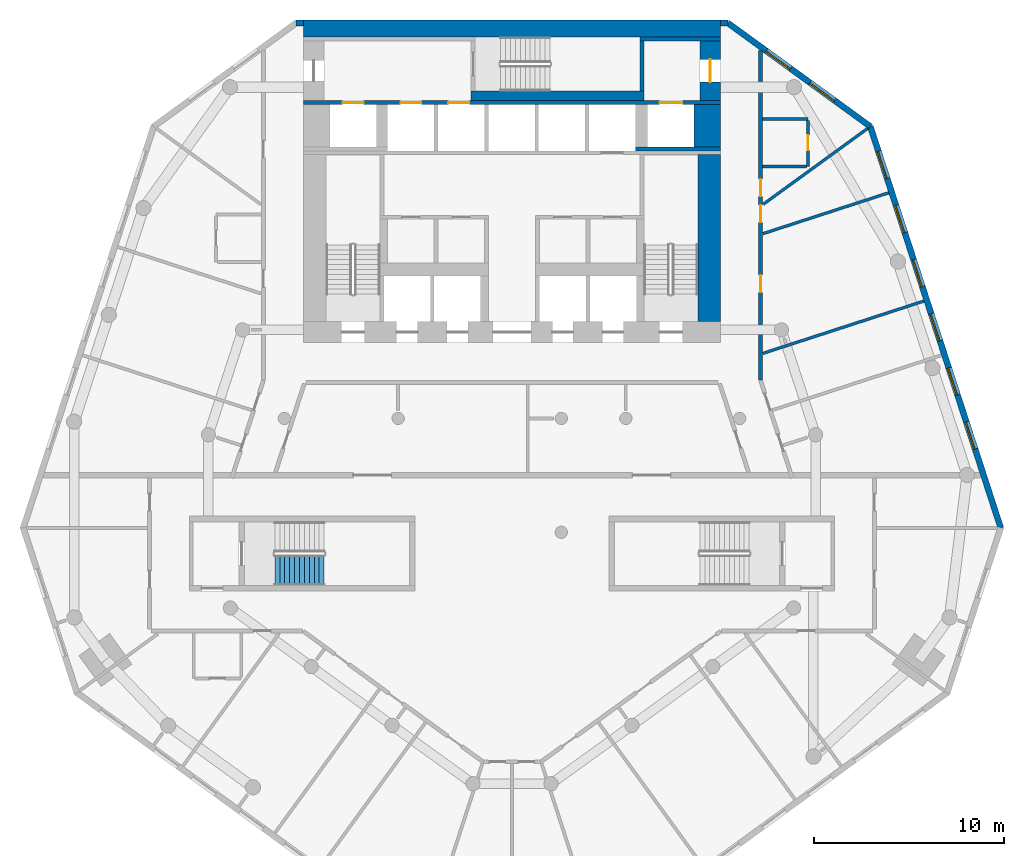
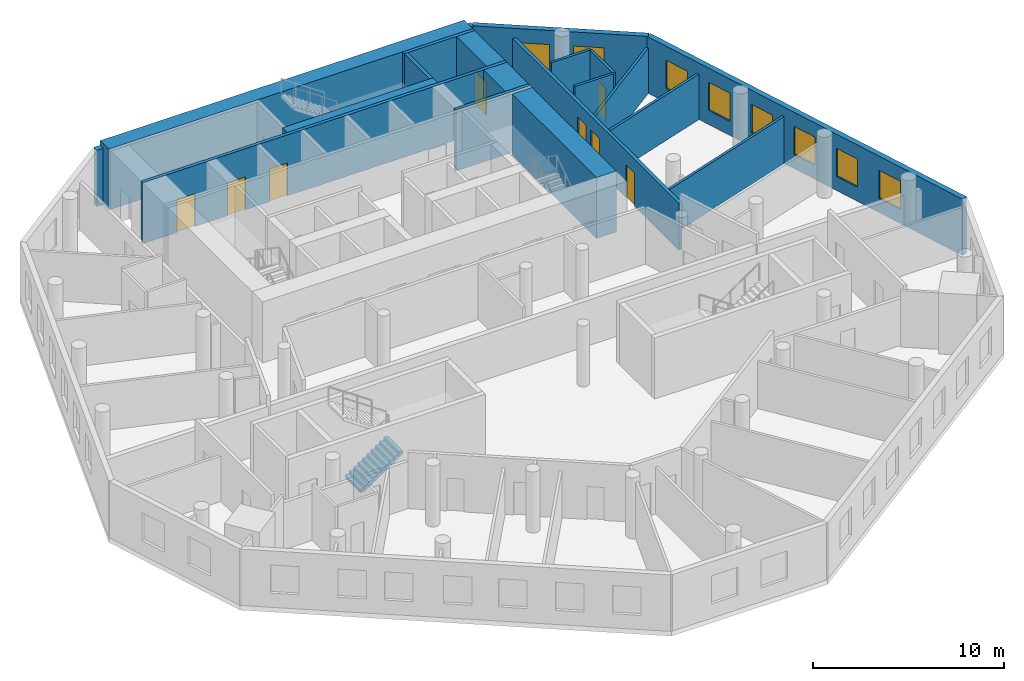
# One storey, part 6 of 9: 20 walls, 9 doors, 8 windows, 1 stair flight, 17 openings, 1 element without a shape of its own.
"""IFC4 building model written with IfcOpenShell, lengths in metres."""

import ifcopenshell
import ifcopenshell.guid

model = None  # the IFC model being written
_history = None  # IfcOwnerHistory: only IFC2X3 demands one
_inside = {}  # id of a spatial element -> (the spatial element, [elements in it])
_under = {}  # id of a project, library or spatial element -> (it, [spatial elements below it])
_declared = {}  # id of a project -> (the project, [libraries it declares])
_typed = {}  # id of a type object -> (the type object, [elements of that type])
_made_of = {}  # id of a material, layer set ... -> (it, [elements and type objects made of it])


def new_model(schema):
    """Start an empty IFC model of exactly this schema.

    Asked for "IFC4X3", IfcOpenShell would pick the latest addendum, in which some entities
    have other attributes; the version numbers below select the first issue.
    IFC2X3 requires an IfcOwnerHistory on every rooted entity: one is made here for all.
    """
    global model, _history
    if schema == "IFC4X3":
        model = ifcopenshell.file(schema_version=(4, 3, 0, 0))
    else:
        model = ifcopenshell.file(schema=schema)
    _inside.clear()
    _under.clear()
    _declared.clear()
    _typed.clear()
    _made_of.clear()
    _history = None
    if model.schema == "IFC2X3":
        org = make("IfcOrganization", Name="unknown")
        user = make(
            "IfcPersonAndOrganization",
            ThePerson=make("IfcPerson", FamilyName="unknown"),
            TheOrganization=org,
        )
        app = make(
            "IfcApplication",
            ApplicationDeveloper=org,
            Version="unknown",
            ApplicationFullName="unknown",
            ApplicationIdentifier="unknown",
        )
        _history = make(
            "IfcOwnerHistory",
            OwningUser=user,
            OwningApplication=app,
            ChangeAction="ADDED",
            CreationDate=0,
        )
    return model


def make(cls, **values):
    """One entity of the class cls with the attributes given. An attribute that is None is left unset."""
    return model.create_entity(
        cls, **{name: value for name, value in values.items() if value is not None}
    )


def rooted(cls, **values):
    """An entity with a GlobalId (a new one), such as an element, a storey or a relation."""
    return make(cls, GlobalId=ifcopenshell.guid.new(), OwnerHistory=_history, **values)


def si_unit(unit_type, name, prefix=None):
    """IfcSIUnit, for example si_unit("LENGTHUNIT", "METRE", prefix="MILLI")."""
    return make("IfcSIUnit", UnitType=unit_type, Prefix=prefix, Name=name)


def assignment(units):
    """IfcUnitAssignment: the units of a project."""
    return None if units is None else make("IfcUnitAssignment", Units=units)


def point(xyz):
    """IfcCartesianPoint."""
    return None if xyz is None else make("IfcCartesianPoint", Coordinates=xyz)


def direction(xyz):
    """IfcDirection."""
    return None if xyz is None else make("IfcDirection", DirectionRatios=xyz)


def frame(location, z_axis=None, x_axis=None):
    """IfcAxis2Placement3D, a coordinate frame: its origin and axes. An axis left out is left unset."""
    return make(
        "IfcAxis2Placement3D",
        Location=point(location),
        Axis=direction(z_axis),
        RefDirection=direction(x_axis),
    )


def frame_2d(location, x_axis=None):
    """IfcAxis2Placement2D, a coordinate frame in the plane: its origin and x axis."""
    return make(
        "IfcAxis2Placement2D", Location=point(location), RefDirection=direction(x_axis)
    )


def origin():
    """The frame at (0, 0, 0) with its axes left unset."""
    return frame((0.0, 0.0, 0.0))


def place(relative_to, where):
    """IfcLocalPlacement: puts the frame where relative to a parent placement (None: the world)."""
    return make(
        "IfcLocalPlacement", PlacementRelTo=relative_to, RelativePlacement=where
    )


def context(
    kind, dimensions, precision=None, world=None, true_north=None, identifier=None
):
    """IfcGeometricRepresentationContext, for example the 3D "Model" context."""
    return make(
        "IfcGeometricRepresentationContext",
        ContextIdentifier=identifier,
        ContextType=kind,
        CoordinateSpaceDimension=dimensions,
        Precision=precision,
        WorldCoordinateSystem=world,
        TrueNorth=true_north,
    )


def subcontext(parent, identifier, kind, view, scale=None):
    """IfcGeometricRepresentationSubContext, for example "Body" below "Model"."""
    return make(
        "IfcGeometricRepresentationSubContext",
        ContextIdentifier=identifier,
        ContextType=kind,
        ParentContext=parent,
        TargetScale=scale,
        TargetView=view,
    )


def project(units=None, contexts=None):
    """IfcProject with its units and contexts."""
    return rooted(
        "IfcProject",
        Name="project",
        RepresentationContexts=contexts,
        UnitsInContext=assignment(units),
    )


def spatial(cls, under=None, at=None, **own):
    """A site, building, storey or space (cls), placed at a placement, below another one or the project."""
    s = rooted(cls, ObjectPlacement=at, **own)
    if under is not None:
        _under.setdefault(under.id(), (under, []))[1].append(s)
    return s


def polyline(points):
    """IfcPolyline through the points."""
    return make("IfcPolyline", Points=[point(p) for p in points])


def profile(cls, at=None, kind="AREA", **sizes):
    """A parametric profile (cls). Its sizes go by their IFC names, for example OverallWidth=200.0."""
    return make(cls, ProfileType=kind, Position=at, **sizes)


def rectangle(**sizes):
    """IfcRectangleProfileDef."""
    return profile("IfcRectangleProfileDef", **sizes)


def outline(outer, holes=None, kind="AREA"):
    """IfcArbitraryClosedProfileDef: a profile drawn as a closed curve; with holes, ...WithVoids."""
    if holes is None:
        return make("IfcArbitraryClosedProfileDef", ProfileType=kind, OuterCurve=outer)
    return make(
        "IfcArbitraryProfileDefWithVoids",
        ProfileType=kind,
        OuterCurve=outer,
        InnerCurves=holes,
    )


def extrude(swept, where, along, depth):
    """IfcExtrudedAreaSolid: the profile swept, set in the frame where, extruded along a direction by depth."""
    return make(
        "IfcExtrudedAreaSolid",
        SweptArea=swept,
        Position=where,
        ExtrudedDirection=direction(along),
        Depth=depth,
    )


def shape(context_of_items, identifier, shape_type, items):
    """IfcShapeRepresentation: the items that make up one representation, for example the "Body"."""
    return make(
        "IfcShapeRepresentation",
        ContextOfItems=context_of_items,
        RepresentationIdentifier=identifier,
        RepresentationType=shape_type,
        Items=items,
    )


def material(Name=None, Category=None):
    """IfcMaterial."""
    return make("IfcMaterial", Name=Name, Category=Category)


def layer(
    of_material, thickness, ventilated=None, Name=None, Category=None, Priority=None
):
    """IfcMaterialLayer: one layer of a wall or slab, of a material (None: an air gap)."""
    return make(
        "IfcMaterialLayer",
        Material=of_material,
        LayerThickness=thickness,
        IsVentilated=ventilated,
        Name=Name,
        Category=Category,
        Priority=Priority,
    )


def layer_set(layers, Name=None):
    """IfcMaterialLayerSet."""
    return make("IfcMaterialLayerSet", MaterialLayers=layers, LayerSetName=Name)


def made_of(thing, what):
    """Note that an element or type object is made of a material, layer set ...; save() writes the relation."""
    if what is not None:
        _made_of.setdefault(what.id(), (what, []))[1].append(thing)
    return thing


def type_object(cls, material=None, **own):
    """A type object (cls), such as IfcWallType, which elements share."""
    return made_of(rooted(cls, **own), material)


def element(
    cls,
    number,
    at=None,
    inside=None,
    cuts=None,
    type_object=None,
    material=None,
    context=None,
    identifier="Body",
    shape_type=None,
    held_by="IfcProductDefinitionShape",
    body=None,
    shapes=None,
    **own,
):
    """One element of the class cls, such as IfcWall. Its Tag is "e" and its number.

    at: its placement. inside: the storey or other place that contains it. cuts: it is an
    opening in that element (IfcRelVoidsElement). A single representation is given by context,
    identifier, shape_type and body (its items); several are given by shapes. held_by: the class
    of the entity that holds the representations. save() writes the other relations.
    """
    e = rooted(cls, Tag="e%d" % number, ObjectPlacement=at, **own)
    if body is not None:
        shapes = [shape(context, identifier, shape_type, body)]
    if shapes is not None:
        e.Representation = make(held_by, Representations=shapes)
    if inside is not None:
        _inside.setdefault(inside.id(), (inside, []))[1].append(e)
    if cuts is not None:
        rooted(
            "IfcRelVoidsElement", RelatingBuildingElement=cuts, RelatedOpeningElement=e
        )
    if type_object is not None:
        _typed.setdefault(type_object.id(), (type_object, []))[1].append(e)
    return made_of(e, material)


def fill(opening, filler):
    """IfcRelFillsElement: the door or window that sits in an opening."""
    return rooted(
        "IfcRelFillsElement",
        RelatingOpeningElement=opening,
        RelatedBuildingElement=filler,
    )


def aggregate(whole, parts):
    """IfcRelAggregates: a whole, such as a stair, and the parts it consists of."""
    return rooted("IfcRelAggregates", RelatingObject=whole, RelatedObjects=parts)


def save(model, path):
    """Write the relations noted so far, then the file.

    IfcRelAggregates (storeys below a building ...), IfcRelContainedInSpatialStructure (elements
    in a storey), IfcRelDefinesByType, IfcRelAssociatesMaterial and IfcRelDeclares: one each for
    every whole, place, type object, material and project.
    """
    for whole, parts in _under.values():
        aggregate(whole, parts)
    for where, things in _inside.values():
        rooted(
            "IfcRelContainedInSpatialStructure",
            RelatedElements=things,
            RelatingStructure=where,
        )
    for kind, things in _typed.values():
        rooted("IfcRelDefinesByType", RelatedObjects=things, RelatingType=kind)
    for what, things in _made_of.values():
        rooted("IfcRelAssociatesMaterial", RelatedObjects=things, RelatingMaterial=what)
    for by, libraries in _declared.values():
        rooted("IfcRelDeclares", RelatingContext=by, RelatedDefinitions=libraries)
    model.write(path)


model = new_model("IFC4")

# Units and contexts
model_context = context("Model", 3, precision=1e-05, world=origin(), true_north=direction((0.0, 1.0)))
body_context = subcontext(model_context, "Body", "Model", "MODEL_VIEW")
ifc_project = project(units=[si_unit("LENGTHUNIT", "METRE"), si_unit("AREAUNIT", "SQUARE_METRE"), si_unit("VOLUMEUNIT", "CUBIC_METRE"), si_unit("PLANEANGLEUNIT", "RADIAN"), si_unit("MASSUNIT", "GRAM", prefix="KILO")], contexts=[model_context])

# Site, building, storey
site_placement = place(None, origin())
site = spatial("IfcSite", under=ifc_project, at=site_placement, CompositionType="ELEMENT")
building_placement = place(site_placement, origin())
building = spatial("IfcBuilding", under=site, at=building_placement, Name="White Candle Pilgrim Tower", CompositionType="ELEMENT")
storey_placement = place(building_placement, frame((0.0, 0.0, 98.60009765625)))
storey = spatial("IfcBuildingStorey", under=building, at=storey_placement, Name="L21", CompositionType="ELEMENT", Elevation=98.60009765625)

# Wall, opening, door
ifc_material_1 = material(Name="Concrete C60/75", Category="concrete")
ifc_layer_1 = layer(ifc_material_1, 1.10009765625)
ifc_layer_set_1 = layer_set([ifc_layer_1], Name="Core wall 1100 mm Concrete C60/75")
wall_type_1 = type_object("IfcWallType", Name="Core wall 1100 mm Concrete C60/75", PredefinedType="SHEAR", material=ifc_layer_set_1)
wall_1_placement = place(storey_placement, frame((80.449951171875, 83.75, 0.0), z_axis=(0.0, 0.0, 1.0), x_axis=(0.0, 1.0, 0.0)))
wall_1 = element("IfcWall", 1, at=wall_1_placement, inside=storey, type_object=wall_type_1, Name="WL-L21-C46", PredefinedType="SHEAR", context=body_context, shape_type="SweptSolid", body=[
    extrude(rectangle(XDim=3.14990234375, YDim=1.10009765625, at=frame_2d((1.574951171875, 0.0))), origin(), (0.0, 0.0, 1.0), 3.89990234375),
])
opening_1_placement = place(wall_1_placement, frame((0.97509765625, 0.0, 0.0)))
opening_1 = element("IfcOpeningElement", 2, at=opening_1_placement, cuts=wall_1, Name="Opening T06-006", PredefinedType="OPENING", context=body_context, shape_type="SweptSolid", body=[
    extrude(rectangle(XDim=1.199951171875, YDim=2.10009765625, at=frame_2d((0.60009765625, 1.050048828125))), frame((0.0, 0.56005859375, 0.0), z_axis=(0.0, -1.0, 0.0), x_axis=(1.0, 0.0, 0.0)), (0.0, 0.0, 1.0), 1.1201171875),
])
ifc_material_2 = material(Name="Steel door leaf", Category="steel")
door_type_1 = type_object("IfcDoorType", Name="Fire door 1200 x 2100 EI 30", OperationType="NOTDEFINED", PredefinedType="DOOR", material=ifc_material_2)
door_1_placement = place(opening_1_placement, origin())
door_1 = element("IfcDoor", 3, at=door_1_placement, inside=storey, type_object=door_type_1, Name="Door T06-006", OperationType="SINGLE_SWING_RIGHT", OverallHeight=2.10009765625, OverallWidth=1.199951171875, PredefinedType="DOOR", context=body_context, shape_type="SweptSolid", body=[
    extrude(rectangle(XDim=1.199951171875, YDim=2.10009765625, at=frame_2d((0.60009765625, 1.050048828125))), frame((0.0, 0.02490234375, 0.0), z_axis=(0.0, -1.0, 0.0), x_axis=(1.0, 0.0, 0.0)), (0.0, 0.0, 1.0), 0.050048828125),
])
fill(opening_1, door_1)

# Walls
ifc_layer_2 = layer(ifc_material_1, 1.39990234375)
ifc_layer_set_2 = layer_set([ifc_layer_2], Name="Core wall 1400 mm Concrete C60/75")
wall_type_2 = type_object("IfcWallType", Name="Core wall 1400 mm Concrete C60/75", PredefinedType="SHEAR", material=ifc_layer_set_2)
wall_2_placement = place(storey_placement, frame((80.300048828125, 81.300048828125, 0.0), z_axis=(0.0, 0.0, 1.0), x_axis=(0.0, 1.0, 0.0)))
element("IfcWall", 4, at=wall_2_placement, inside=storey, type_object=wall_type_2, Name="WL-L21-C42", PredefinedType="SHEAR", context=body_context, shape_type="SweptSolid", body=[
    extrude(rectangle(XDim=2.25, YDim=1.39990234375, at=frame_2d((1.125, 0.0))), origin(), (0.0, 0.0, 1.0), 3.89990234375),
])
ifc_layer_3 = layer(ifc_material_1, 0.199951171875)
ifc_layer_set_3 = layer_set([ifc_layer_3], Name="Core wall 200 mm Concrete C60/75")
wall_type_3 = type_object("IfcWallType", Name="Core wall 200 mm Concrete C60/75", PredefinedType="SHEAR", material=ifc_layer_set_3)
wall_3_placement = place(storey_placement, frame((76.5, 81.199951171875, 0.0), z_axis=(0.0, 0.0, 1.0), x_axis=(1.0, 0.0, 0.0)))
element("IfcWall", 5, at=wall_3_placement, inside=storey, type_object=wall_type_3, Name="WL-L21-C38", PredefinedType="SHEAR", context=body_context, shape_type="SweptSolid", body=[
    extrude(rectangle(XDim=4.5, YDim=0.199951171875, at=frame_2d((2.25, 0.0))), origin(), (0.0, 0.0, 1.0), 3.89990234375),
])

# Wall, openings, doors
wall_4_placement = place(storey_placement, frame((59.0, 83.64990234375, 0.0), z_axis=(0.0, 0.0, 1.0), x_axis=(1.0, 0.0, 0.0)))
wall_4 = element("IfcWall", 6, at=wall_4_placement, inside=storey, type_object=wall_type_3, Name="WL-L21-C43", PredefinedType="SHEAR", context=body_context, shape_type="SweptSolid", body=[
    extrude(rectangle(XDim=22.0, YDim=0.199951171875, at=frame_2d((11.0, 0.0))), origin(), (0.0, 0.0, 1.0), 3.89990234375),
])
opening_2_placement = place(wall_4_placement, frame((5.125, 0.0, 0.0)))
opening_2 = element("IfcOpeningElement", 7, at=opening_2_placement, cuts=wall_4, Name="Opening T06-011", PredefinedType="OPENING", context=body_context, shape_type="SweptSolid", body=[
    extrude(rectangle(XDim=1.10009765625, YDim=2.10009765625, at=frame_2d((0.550048828125, 1.050048828125))), frame((0.0, 0.10986328125, 0.0), z_axis=(0.0, -1.0, 0.0), x_axis=(1.0, 0.0, 0.0)), (0.0, 0.0, 1.0), 0.219970703125),
])
opening_3_placement = place(wall_4_placement, frame((7.64990234375, 0.0, 0.0)))
opening_3 = element("IfcOpeningElement", 8, at=opening_3_placement, cuts=wall_4, Name="Opening T06-012", PredefinedType="OPENING", context=body_context, shape_type="SweptSolid", body=[
    extrude(rectangle(XDim=1.10009765625, YDim=2.10009765625, at=frame_2d((0.550048828125, 1.050048828125))), frame((0.0, 0.10986328125, 0.0), z_axis=(0.0, -1.0, 0.0), x_axis=(1.0, 0.0, 0.0)), (0.0, 0.0, 1.0), 0.219970703125),
])
opening_4_placement = place(wall_4_placement, frame((18.77490234375, 0.0, 0.0)))
opening_4 = element("IfcOpeningElement", 9, at=opening_4_placement, cuts=wall_4, Name="Opening T06-018", PredefinedType="OPENING", context=body_context, shape_type="SweptSolid", body=[
    extrude(rectangle(XDim=1.199951171875, YDim=2.10009765625, at=frame_2d((0.60009765625, 1.050048828125))), frame((0.0, 0.10986328125, 0.0), z_axis=(0.0, -1.0, 0.0), x_axis=(1.0, 0.0, 0.0)), (0.0, 0.0, 1.0), 0.219970703125),
])
opening_5_placement = place(wall_4_placement, frame((2.074951171875, 0.0, 0.0)))
opening_5 = element("IfcOpeningElement", 10, at=opening_5_placement, cuts=wall_4, Name="Opening T06-019", PredefinedType="OPENING", context=body_context, shape_type="SweptSolid", body=[
    extrude(rectangle(XDim=1.10009765625, YDim=2.10009765625, at=frame_2d((0.550048828125, 1.050048828125))), frame((0.0, 0.10986328125, 0.0), z_axis=(0.0, -1.0, 0.0), x_axis=(1.0, 0.0, 0.0)), (0.0, 0.0, 1.0), 0.219970703125),
])
ifc_material_3 = material(Name="Stainless steel", Category="steel")
door_type_2 = type_object("IfcDoorType", Name="Lift landing door 1100 x 2100 EI 60", OperationType="DOUBLE_DOOR_SLIDING", PredefinedType="DOOR", material=ifc_material_3)
door_2_placement = place(opening_2_placement, origin())
door_2 = element("IfcDoor", 11, at=door_2_placement, inside=storey, type_object=door_type_2, Name="Door T06-011", OperationType="DOUBLE_DOOR_SLIDING", OverallHeight=2.10009765625, OverallWidth=1.10009765625, PredefinedType="DOOR", context=body_context, shape_type="SweptSolid", body=[
    extrude(rectangle(XDim=1.10009765625, YDim=2.10009765625, at=frame_2d((0.550048828125, 1.050048828125))), frame((0.0, 0.02490234375, 0.0), z_axis=(0.0, -1.0, 0.0), x_axis=(1.0, 0.0, 0.0)), (0.0, 0.0, 1.0), 0.050048828125),
])
fill(opening_2, door_2)
door_3_placement = place(opening_3_placement, origin())
door_3 = element("IfcDoor", 12, at=door_3_placement, inside=storey, type_object=door_type_2, Name="Door T06-012", OperationType="DOUBLE_DOOR_SLIDING", OverallHeight=2.10009765625, OverallWidth=1.10009765625, PredefinedType="DOOR", context=body_context, shape_type="SweptSolid", body=[
    extrude(rectangle(XDim=1.10009765625, YDim=2.10009765625, at=frame_2d((0.550048828125, 1.050048828125))), frame((0.0, 0.02490234375, 0.0), z_axis=(0.0, -1.0, 0.0), x_axis=(1.0, 0.0, 0.0)), (0.0, 0.0, 1.0), 0.050048828125),
])
fill(opening_3, door_3)
door_4_placement = place(opening_5_placement, origin())
door_4 = element("IfcDoor", 13, at=door_4_placement, inside=storey, type_object=door_type_2, Name="Door T06-019", OperationType="DOUBLE_DOOR_SLIDING", OverallHeight=2.10009765625, OverallWidth=1.10009765625, PredefinedType="DOOR", context=body_context, shape_type="SweptSolid", body=[
    extrude(rectangle(XDim=1.10009765625, YDim=2.10009765625, at=frame_2d((0.550048828125, 1.050048828125))), frame((0.0, 0.02490234375, 0.0), z_axis=(0.0, -1.0, 0.0), x_axis=(1.0, 0.0, 0.0)), (0.0, 0.0, 1.0), 0.050048828125),
])
fill(opening_5, door_4)
door_type_3 = type_object("IfcDoorType", Name="Lift landing door 1200 x 2100 E 60", OperationType="DOUBLE_DOOR_SLIDING", PredefinedType="DOOR", material=ifc_material_3)
door_5_placement = place(opening_4_placement, origin())
door_5 = element("IfcDoor", 14, at=door_5_placement, inside=storey, type_object=door_type_3, Name="Door T06-018", OperationType="DOUBLE_DOOR_SLIDING", OverallHeight=2.10009765625, OverallWidth=1.199951171875, PredefinedType="DOOR", context=body_context, shape_type="SweptSolid", body=[
    extrude(rectangle(XDim=1.199951171875, YDim=2.10009765625, at=frame_2d((0.60009765625, 1.050048828125))), frame((0.0, 0.02490234375, 0.0), z_axis=(0.0, -1.0, 0.0), x_axis=(1.0, 0.0, 0.0)), (0.0, 0.0, 1.0), 0.050048828125),
])
fill(opening_4, door_5)

ifc_material_4 = material(Name="Gypsum board on steel studs", Category="steel")
ifc_layer_4 = layer(ifc_material_4, 0.199951171875)
ifc_layer_set_4 = layer_set([ifc_layer_4], Name="Corridor wall 200 mm EI 45")
wall_type_4 = type_object("IfcWallType", Name="Corridor wall 200 mm EI 45", PredefinedType="PARTITIONING", material=ifc_layer_set_4)
wall_5_placement = place(storey_placement, frame((83.10009765625, 86.396240234375, 0.0), z_axis=(0.0, 0.0, 1.0), x_axis=(0.0, -1.0, 0.0)))
wall_5 = element("IfcWall", 15, at=wall_5_placement, inside=storey, type_object=wall_type_4, Name="WL-L21-P004", PredefinedType="PARTITIONING", context=body_context, shape_type="SweptSolid", body=[
    extrude(rectangle(XDim=17.37451171875, YDim=0.199951171875, at=frame_2d((8.687255859375, 0.0))), origin(), (0.0, 0.0, 1.0), 3.0),
])
opening_6_placement = place(wall_5_placement, frame((6.785888671875, 0.0, 0.0)))
opening_6 = element("IfcOpeningElement", 16, at=opening_6_placement, cuts=wall_5, Name="Opening T06-123", PredefinedType="OPENING", context=body_context, shape_type="SweptSolid", body=[
    extrude(rectangle(XDim=0.89990234375, YDim=2.10009765625, at=frame_2d((0.449951171875, 1.050048828125))), frame((0.0, 0.10986328125, 0.0), z_axis=(0.0, -1.0, 0.0), x_axis=(1.0, 0.0, 0.0)), (0.0, 0.0, 1.0), 0.219970703125),
])
opening_7_placement = place(wall_5_placement, frame((8.156494140625, 0.0, 0.0)))
opening_7 = element("IfcOpeningElement", 17, at=opening_7_placement, cuts=wall_5, Name="Opening T06-124", PredefinedType="OPENING", context=body_context, shape_type="SweptSolid", body=[
    extrude(rectangle(XDim=0.89990234375, YDim=2.10009765625, at=frame_2d((0.449951171875, 1.050048828125))), frame((0.0, 0.10986328125, 0.0), z_axis=(0.0, -1.0, 0.0), x_axis=(1.0, 0.0, 0.0)), (0.0, 0.0, 1.0), 0.219970703125),
])
opening_8_placement = place(wall_5_placement, frame((11.8486328125, 0.0, 0.0)))
opening_8 = element("IfcOpeningElement", 18, at=opening_8_placement, cuts=wall_5, Name="Opening T06-125", PredefinedType="OPENING", context=body_context, shape_type="SweptSolid", body=[
    extrude(rectangle(XDim=0.89990234375, YDim=2.10009765625, at=frame_2d((0.449951171875, 1.050048828125))), frame((0.0, 0.10986328125, 0.0), z_axis=(0.0, -1.0, 0.0), x_axis=(1.0, 0.0, 0.0)), (0.0, 0.0, 1.0), 0.219970703125),
])
door_type_4 = type_object("IfcDoorType", Name="Fire door 900 x 2100 EI 30", OperationType="NOTDEFINED", PredefinedType="DOOR", material=ifc_material_2)
door_6_placement = place(opening_6_placement, origin())
door_6 = element("IfcDoor", 19, at=door_6_placement, inside=storey, type_object=door_type_4, Name="Door T06-123", OperationType="SINGLE_SWING_LEFT", OverallHeight=2.10009765625, OverallWidth=0.89990234375, PredefinedType="DOOR", context=body_context, shape_type="SweptSolid", body=[
    extrude(rectangle(XDim=0.89990234375, YDim=2.10009765625, at=frame_2d((0.449951171875, 1.050048828125))), frame((0.0, 0.02490234375, 0.0), z_axis=(0.0, -1.0, 0.0), x_axis=(1.0, 0.0, 0.0)), (0.0, 0.0, 1.0), 0.050048828125),
])
fill(opening_6, door_6)
door_7_placement = place(opening_7_placement, origin())
door_7 = element("IfcDoor", 20, at=door_7_placement, inside=storey, type_object=door_type_4, Name="Door T06-124", OperationType="SINGLE_SWING_RIGHT", OverallHeight=2.10009765625, OverallWidth=0.89990234375, PredefinedType="DOOR", context=body_context, shape_type="SweptSolid", body=[
    extrude(rectangle(XDim=0.89990234375, YDim=2.10009765625, at=frame_2d((0.449951171875, 1.050048828125))), frame((0.0, 0.02490234375, 0.0), z_axis=(0.0, -1.0, 0.0), x_axis=(1.0, 0.0, 0.0)), (0.0, 0.0, 1.0), 0.050048828125),
])
fill(opening_7, door_7)
door_8_placement = place(opening_8_placement, origin())
door_8 = element("IfcDoor", 21, at=door_8_placement, inside=storey, type_object=door_type_4, Name="Door T06-125", OperationType="SINGLE_SWING_LEFT", OverallHeight=2.10009765625, OverallWidth=0.89990234375, PredefinedType="DOOR", context=body_context, shape_type="SweptSolid", body=[
    extrude(rectangle(XDim=0.89990234375, YDim=2.10009765625, at=frame_2d((0.449951171875, 1.050048828125))), frame((0.0, 0.02490234375, 0.0), z_axis=(0.0, -1.0, 0.0), x_axis=(1.0, 0.0, 0.0)), (0.0, 0.0, 1.0), 0.050048828125),
])
fill(opening_8, door_8)

# Wall, openings, windows
ifc_material_5 = material(Name="Precast concrete C40/50", Category="concrete")
ifc_layer_5 = layer(ifc_material_5, 0.320068359375)
ifc_layer_set_5 = layer_set([ifc_layer_5], Name="Facade wall EW1 precast concrete C40/50 pier wall with timber-lined reveals")
wall_type_5 = type_object("IfcWallType", Name="Facade wall EW1 precast concrete C40/50 pier wall with timber-lined reveals", PredefinedType="SOLIDWALL", material=ifc_layer_set_5)
wall_6_placement = place(storey_placement, frame((95.762451171875, 61.230712890625, 0.0), z_axis=(0.0, 0.0, 1.0), x_axis=(-0.309018577053, 0.95105600205, 0.0)))
wall_6 = element("IfcWall", 22, at=wall_6_placement, inside=storey, type_object=wall_type_5, Name="Facade wall L21 ENE", PredefinedType="SOLIDWALL", context=body_context, shape_type="SweptSolid", body=[
    extrude(rectangle(XDim=22.2470703125, YDim=0.320068359375, at=frame_2d((11.12353515625, 0.0))), origin(), (0.0, 0.0, 1.0), 3.599853515625),
])
opening_9_placement = place(wall_6_placement, frame((4.37353515625, 0.0, 0.89990234375)))
opening_9 = element("IfcOpeningElement", 23, at=opening_9_placement, cuts=wall_6, Name="Opening W1", PredefinedType="OPENING", context=body_context, shape_type="SweptSolid", body=[
    extrude(rectangle(XDim=1.5, YDim=1.800048828125, at=frame_2d((0.75, 0.89990234375))), frame((0.0, 0.169921875, 0.0), z_axis=(0.0, -1.0, 0.0), x_axis=(1.0, 0.0, 0.0)), (0.0, 0.0, 1.0), 0.340087890625),
])
opening_10_placement = place(wall_6_placement, frame((7.37353515625, 0.0, 0.89990234375)))
opening_10 = element("IfcOpeningElement", 24, at=opening_10_placement, cuts=wall_6, Name="Opening W1", PredefinedType="OPENING", context=body_context, shape_type="SweptSolid", body=[
    extrude(rectangle(XDim=1.5, YDim=1.800048828125, at=frame_2d((0.75, 0.89990234375))), frame((0.0, 0.169921875, 0.0), z_axis=(0.0, -1.0, 0.0), x_axis=(1.0, 0.0, 0.0)), (0.0, 0.0, 1.0), 0.340087890625),
])
opening_11_placement = place(wall_6_placement, frame((10.37353515625, 0.0, 0.89990234375)))
opening_11 = element("IfcOpeningElement", 25, at=opening_11_placement, cuts=wall_6, Name="Opening W1", PredefinedType="OPENING", context=body_context, shape_type="SweptSolid", body=[
    extrude(rectangle(XDim=1.5, YDim=1.800048828125, at=frame_2d((0.75, 0.89990234375))), frame((0.0, 0.169921875, 0.0), z_axis=(0.0, -1.0, 0.0), x_axis=(1.0, 0.0, 0.0)), (0.0, 0.0, 1.0), 0.340087890625),
])
opening_12_placement = place(wall_6_placement, frame((13.37353515625, 0.0, 0.89990234375)))
opening_12 = element("IfcOpeningElement", 26, at=opening_12_placement, cuts=wall_6, Name="Opening W1", PredefinedType="OPENING", context=body_context, shape_type="SweptSolid", body=[
    extrude(rectangle(XDim=1.5, YDim=1.800048828125, at=frame_2d((0.75, 0.89990234375))), frame((0.0, 0.169921875, 0.0), z_axis=(0.0, -1.0, 0.0), x_axis=(1.0, 0.0, 0.0)), (0.0, 0.0, 1.0), 0.340087890625),
])
opening_13_placement = place(wall_6_placement, frame((16.37353515625, 0.0, 0.89990234375)))
opening_13 = element("IfcOpeningElement", 27, at=opening_13_placement, cuts=wall_6, Name="Opening W1", PredefinedType="OPENING", context=body_context, shape_type="SweptSolid", body=[
    extrude(rectangle(XDim=1.5, YDim=1.800048828125, at=frame_2d((0.75, 0.89990234375))), frame((0.0, 0.169921875, 0.0), z_axis=(0.0, -1.0, 0.0), x_axis=(1.0, 0.0, 0.0)), (0.0, 0.0, 1.0), 0.340087890625),
])
opening_14_placement = place(wall_6_placement, frame((19.37353515625, 0.0, 0.89990234375)))
opening_14 = element("IfcOpeningElement", 28, at=opening_14_placement, cuts=wall_6, Name="Opening W1", PredefinedType="OPENING", context=body_context, shape_type="SweptSolid", body=[
    extrude(rectangle(XDim=1.5, YDim=1.800048828125, at=frame_2d((0.75, 0.89990234375))), frame((0.0, 0.169921875, 0.0), z_axis=(0.0, -1.0, 0.0), x_axis=(1.0, 0.0, 0.0)), (0.0, 0.0, 1.0), 0.340087890625),
])
ifc_material_6 = material(Name="Timber frame with triple glazing", Category="wood")
window_type_1 = type_object("IfcWindowType", Name="Window W1 1500x1800 timber frame triple glazing", PartitioningType="SINGLE_PANEL", PredefinedType="WINDOW", material=ifc_material_6)
window_1_placement = place(opening_9_placement, origin())
window_1 = element("IfcWindow", 29, at=window_1_placement, inside=storey, type_object=window_type_1, Name="Window W1 L21 ENE 2", OverallHeight=1.800048828125, OverallWidth=1.5, PartitioningType="SINGLE_PANEL", PredefinedType="WINDOW", context=body_context, shape_type="SweptSolid", body=[
    extrude(rectangle(XDim=1.5, YDim=1.800048828125, at=frame_2d((0.75, 0.89990234375))), frame((0.0, 0.070068359375, 0.0), z_axis=(0.0, -1.0, 0.0), x_axis=(1.0, 0.0, 0.0)), (0.0, 0.0, 1.0), 0.06005859375),
])
fill(opening_9, window_1)
window_2_placement = place(opening_10_placement, origin())
window_2 = element("IfcWindow", 30, at=window_2_placement, inside=storey, type_object=window_type_1, Name="Window W1 L21 ENE 3", OverallHeight=1.800048828125, OverallWidth=1.5, PartitioningType="SINGLE_PANEL", PredefinedType="WINDOW", context=body_context, shape_type="SweptSolid", body=[
    extrude(rectangle(XDim=1.5, YDim=1.800048828125, at=frame_2d((0.75, 0.89990234375))), frame((0.0, 0.070068359375, 0.0), z_axis=(0.0, -1.0, 0.0), x_axis=(1.0, 0.0, 0.0)), (0.0, 0.0, 1.0), 0.06005859375),
])
fill(opening_10, window_2)
window_3_placement = place(opening_11_placement, origin())
window_3 = element("IfcWindow", 31, at=window_3_placement, inside=storey, type_object=window_type_1, Name="Window W1 L21 ENE 4", OverallHeight=1.800048828125, OverallWidth=1.5, PartitioningType="SINGLE_PANEL", PredefinedType="WINDOW", context=body_context, shape_type="SweptSolid", body=[
    extrude(rectangle(XDim=1.5, YDim=1.800048828125, at=frame_2d((0.75, 0.89990234375))), frame((0.0, 0.070068359375, 0.0), z_axis=(0.0, -1.0, 0.0), x_axis=(1.0, 0.0, 0.0)), (0.0, 0.0, 1.0), 0.06005859375),
])
fill(opening_11, window_3)
window_4_placement = place(opening_12_placement, origin())
window_4 = element("IfcWindow", 32, at=window_4_placement, inside=storey, type_object=window_type_1, Name="Window W1 L21 ENE 5", OverallHeight=1.800048828125, OverallWidth=1.5, PartitioningType="SINGLE_PANEL", PredefinedType="WINDOW", context=body_context, shape_type="SweptSolid", body=[
    extrude(rectangle(XDim=1.5, YDim=1.800048828125, at=frame_2d((0.75, 0.89990234375))), frame((0.0, 0.070068359375, 0.0), z_axis=(0.0, -1.0, 0.0), x_axis=(1.0, 0.0, 0.0)), (0.0, 0.0, 1.0), 0.06005859375),
])
fill(opening_12, window_4)
window_5_placement = place(opening_13_placement, origin())
window_5 = element("IfcWindow", 33, at=window_5_placement, inside=storey, type_object=window_type_1, Name="Window W1 L21 ENE 6", OverallHeight=1.800048828125, OverallWidth=1.5, PartitioningType="SINGLE_PANEL", PredefinedType="WINDOW", context=body_context, shape_type="SweptSolid", body=[
    extrude(rectangle(XDim=1.5, YDim=1.800048828125, at=frame_2d((0.75, 0.89990234375))), frame((0.0, 0.070068359375, 0.0), z_axis=(0.0, -1.0, 0.0), x_axis=(1.0, 0.0, 0.0)), (0.0, 0.0, 1.0), 0.06005859375),
])
fill(opening_13, window_5)
window_6_placement = place(opening_14_placement, origin())
window_6 = element("IfcWindow", 34, at=window_6_placement, inside=storey, type_object=window_type_1, Name="Window W1 L21 ENE 7", OverallHeight=1.800048828125, OverallWidth=1.5, PartitioningType="SINGLE_PANEL", PredefinedType="WINDOW", context=body_context, shape_type="SweptSolid", body=[
    extrude(rectangle(XDim=1.5, YDim=1.800048828125, at=frame_2d((0.75, 0.89990234375))), frame((0.0, 0.070068359375, 0.0), z_axis=(0.0, -1.0, 0.0), x_axis=(1.0, 0.0, 0.0)), (0.0, 0.0, 1.0), 0.06005859375),
])
fill(opening_14, window_6)

wall_7_placement = place(storey_placement, frame((88.8876953125, 82.388916015625, 0.0), z_axis=(0.0, 0.0, 1.0), x_axis=(-0.809009213142, 0.587795962092, 0.0)))
wall_7 = element("IfcWall", 35, at=wall_7_placement, inside=storey, type_object=wall_type_5, Name="Facade wall L21 NE chamfer", PredefinedType="SOLIDWALL", context=body_context, shape_type="SweptSolid", body=[
    extrude(rectangle(XDim=9.27392578125, YDim=0.320068359375, at=frame_2d((4.636962890625, 0.0))), origin(), (0.0, 0.0, 1.0), 3.599853515625),
])
opening_15_placement = place(wall_7_placement, frame((2.3369140625, 0.0, 0.89990234375)))
opening_15 = element("IfcOpeningElement", 36, at=opening_15_placement, cuts=wall_7, Name="Opening W2", PredefinedType="OPENING", context=body_context, shape_type="SweptSolid", body=[
    extrude(rectangle(XDim=1.60009765625, YDim=1.800048828125, at=frame_2d((0.800048828125, 0.89990234375))), frame((0.0, 0.169921875, 0.0), z_axis=(0.0, -1.0, 0.0), x_axis=(1.0, 0.0, 0.0)), (0.0, 0.0, 1.0), 0.340087890625),
])
opening_16_placement = place(wall_7_placement, frame((5.18701171875, 0.0, 0.89990234375)))
opening_16 = element("IfcOpeningElement", 37, at=opening_16_placement, cuts=wall_7, Name="Opening W2", PredefinedType="OPENING", context=body_context, shape_type="SweptSolid", body=[
    extrude(rectangle(XDim=1.60009765625, YDim=1.800048828125, at=frame_2d((0.800048828125, 0.89990234375))), frame((0.0, 0.169921875, 0.0), z_axis=(0.0, -1.0, 0.0), x_axis=(1.0, 0.0, 0.0)), (0.0, 0.0, 1.0), 0.340087890625),
])
window_type_2 = type_object("IfcWindowType", Name="Window W2 1600x1800 timber frame triple glazing", PartitioningType="SINGLE_PANEL", PredefinedType="WINDOW", material=ifc_material_6)
window_7_placement = place(opening_15_placement, origin())
window_7 = element("IfcWindow", 38, at=window_7_placement, inside=storey, type_object=window_type_2, Name="Window W2 L21 NE chamfer 1", OverallHeight=1.800048828125, OverallWidth=1.60009765625, PartitioningType="SINGLE_PANEL", PredefinedType="WINDOW", context=body_context, shape_type="SweptSolid", body=[
    extrude(rectangle(XDim=1.60009765625, YDim=1.800048828125, at=frame_2d((0.800048828125, 0.89990234375))), frame((0.0, 0.070068359375, 0.0), z_axis=(0.0, -1.0, 0.0), x_axis=(1.0, 0.0, 0.0)), (0.0, 0.0, 1.0), 0.06005859375),
])
fill(opening_15, window_7)
window_8_placement = place(opening_16_placement, origin())
window_8 = element("IfcWindow", 39, at=window_8_placement, inside=storey, type_object=window_type_2, Name="Window W2 L21 NE chamfer 2", OverallHeight=1.800048828125, OverallWidth=1.60009765625, PartitioningType="SINGLE_PANEL", PredefinedType="WINDOW", context=body_context, shape_type="SweptSolid", body=[
    extrude(rectangle(XDim=1.60009765625, YDim=1.800048828125, at=frame_2d((0.800048828125, 0.89990234375))), frame((0.0, 0.070068359375, 0.0), z_axis=(0.0, -1.0, 0.0), x_axis=(1.0, 0.0, 0.0)), (0.0, 0.0, 1.0), 0.06005859375),
])
fill(opening_16, window_8)

# Walls
for number, where, z_axis, x_axis, name in (
    (40, (81.385009765625, 87.840087890625, 0.0), (0.0, 0.0, 1.0), (-1.0, 0.0, 0.0), "Facade wall L21 N"),
    (41, (59.0, 87.840087890625, 0.0), (0.0, 0.0, 1.0), (-1.0, 0.0, 0.0), "Facade wall L21 N"),
):
    element("IfcWall", number, at=place(storey_placement, frame(where, z_axis=z_axis, x_axis=x_axis)), inside=storey, type_object=wall_type_5, Name=name, PredefinedType="SOLIDWALL", context=body_context, shape_type="SweptSolid", body=[
        extrude(rectangle(XDim=0.385009765625, YDim=0.320068359375, at=frame_2d((0.1923828125, 0.0))), origin(), (0.0, 0.0, 1.0), 3.599853515625),
    ])
ifc_layer_6 = layer(ifc_material_4, 0.14990234375)
ifc_layer_set_6 = layer_set([ifc_layer_6], Name="Partition 150 mm EI 60")
wall_type_6 = type_object("IfcWallType", Name="Partition 150 mm EI 60", PredefinedType="PARTITIONING", material=ifc_layer_set_6)
wall_8_placement = place(storey_placement, frame((88.751708984375, 82.2900390625, 0.0), z_axis=(0.0, 0.0, 1.0), x_axis=(-0.809035290939, -0.587760068408, 0.0)))
element("IfcWall", 42, at=wall_8_placement, inside=storey, type_object=wall_type_6, Name="WL-L21-P023", PredefinedType="PARTITIONING", context=body_context, shape_type="SweptSolid", body=[
    extrude(rectangle(XDim=6.8076171875, YDim=0.14990234375, at=frame_2d((3.40380859375, 0.0))), origin(), (0.0, 0.0, 1.0), 2.89990234375),
])
wall_9_placement = place(storey_placement, frame((91.70947265625, 73.18701171875, 0.0), z_axis=(0.0, 0.0, 1.0), x_axis=(-0.951058193987, -0.309011830923, 0.0)))
element("IfcWall", 43, at=wall_9_placement, inside=storey, type_object=wall_type_6, Name="WL-L21-P040", PredefinedType="PARTITIONING", context=body_context, shape_type="SweptSolid", body=[
    extrude(rectangle(XDim=8.923095703125, YDim=0.14990234375, at=frame_2d((4.46142578125, 0.0))), origin(), (0.0, 0.0, 1.0), 3.0),
])
wall_10_placement = place(storey_placement, frame((89.855224609375, 78.893310546875, 0.0), z_axis=(0.0, 0.0, 1.0), x_axis=(-0.951050790673, -0.309034615471, 0.0)))
element("IfcWall", 44, at=wall_10_placement, inside=storey, type_object=wall_type_6, Name="WL-L21-P041", PredefinedType="PARTITIONING", context=body_context, shape_type="SweptSolid", body=[
    extrude(rectangle(XDim=6.973388671875, YDim=0.14990234375, at=frame_2d((3.48681640625, 0.0))), origin(), (0.0, 0.0, 1.0), 2.89990234375),
])
wall_11_placement = place(storey_placement, frame((83.199951171875, 82.783935546875, 0.0), z_axis=(0.0, 0.0, 1.0), x_axis=(1.0, 0.0, 0.0)))
element("IfcWall", 45, at=wall_11_placement, inside=storey, type_object=wall_type_6, Name="WL-L21-P042", PredefinedType="PARTITIONING", context=body_context, shape_type="SweptSolid", body=[
    extrude(rectangle(XDim=2.400146484375, YDim=0.14990234375, at=frame_2d((1.2001953125, 0.0))), origin(), (0.0, 0.0, 1.0), 3.599853515625),
])

# Wall, opening, door
wall_12_placement = place(storey_placement, frame((85.60009765625, 80.283935546875, 0.0), z_axis=(0.0, 0.0, 1.0), x_axis=(0.0, 1.0, 0.0)))
wall_12 = element("IfcWall", 46, at=wall_12_placement, inside=storey, type_object=wall_type_6, Name="WL-L21-P043", PredefinedType="PARTITIONING", context=body_context, shape_type="SweptSolid", body=[
    extrude(rectangle(XDim=2.425048828125, YDim=0.14990234375, at=frame_2d((1.21240234375, 0.0))), origin(), (0.0, 0.0, 1.0), 3.599853515625),
])
opening_17_placement = place(wall_12_placement, frame((0.85009765625, 0.0, 0.0)))
opening_17 = element("IfcOpeningElement", 47, at=opening_17_placement, cuts=wall_12, Name="Opening T06-115", PredefinedType="OPENING", context=body_context, shape_type="SweptSolid", body=[
    extrude(rectangle(XDim=0.800048828125, YDim=2.10009765625, at=frame_2d((0.39990234375, 1.050048828125))), frame((0.0, 0.0849609375, 0.0), z_axis=(0.0, -1.0, 0.0), x_axis=(1.0, 0.0, 0.0)), (0.0, 0.0, 1.0), 0.169921875),
])
door_type_5 = type_object("IfcDoorType", Name="Fire door 800 x 2100 EI 30", OperationType="NOTDEFINED", PredefinedType="DOOR", material=ifc_material_2)
door_9_placement = place(opening_17_placement, frame((0.800048828125, 0.0, 0.0), z_axis=(0.0, 0.0, 1.0), x_axis=(-1.0, 0.0, 0.0)))
door_9 = element("IfcDoor", 48, at=door_9_placement, inside=storey, type_object=door_type_5, Name="Door T06-115", OperationType="SINGLE_SWING_RIGHT", OverallHeight=2.10009765625, OverallWidth=0.800048828125, PredefinedType="DOOR", context=body_context, shape_type="SweptSolid", body=[
    extrude(rectangle(XDim=0.800048828125, YDim=2.10009765625, at=frame_2d((0.39990234375, 1.050048828125))), frame((0.0, 0.02490234375, 0.0), z_axis=(0.0, -1.0, 0.0), x_axis=(1.0, 0.0, 0.0)), (0.0, 0.0, 1.0), 0.050048828125),
])
fill(opening_17, door_9)

# Walls
wall_13_placement = place(storey_placement, frame((83.199951171875, 80.283935546875, 0.0), z_axis=(0.0, 0.0, 1.0), x_axis=(1.0, 0.0, 0.0)))
element("IfcWall", 49, at=wall_13_placement, inside=storey, type_object=wall_type_6, Name="WL-L21-P044", PredefinedType="PARTITIONING", context=body_context, shape_type="SweptSolid", body=[
    extrude(rectangle(XDim=2.324951171875, YDim=0.14990234375, at=frame_2d((1.16259765625, 0.0))), origin(), (0.0, 0.0, 1.0), 3.599853515625),
])
ifc_layer_7 = layer(ifc_material_1, 1.199951171875)
ifc_layer_set_7 = layer_set([ifc_layer_7], Name="Stair shaft wall 1200 mm Concrete C60/75")
wall_type_7 = type_object("IfcWallType", Name="Stair shaft wall 1200 mm Concrete C60/75", PredefinedType="SHEAR", material=ifc_layer_set_7)
wall_14_placement = place(storey_placement, frame((80.39990234375, 72.10009765625, 0.0), z_axis=(0.0, 0.0, 1.0), x_axis=(0.0, 1.0, 0.0)))
element("IfcWall", 50, at=wall_14_placement, inside=storey, type_object=wall_type_7, Name="WL-L21-C19", PredefinedType="SHEAR", context=body_context, shape_type="SweptSolid", body=[
    extrude(rectangle(XDim=8.7998046875, YDim=1.199951171875, at=frame_2d((4.39990234375, 0.0))), origin(), (0.0, 0.0, 1.0), 3.89990234375),
])
ifc_layer_8 = layer(ifc_material_1, 0.199951171875)
ifc_layer_set_8 = layer_set([ifc_layer_8], Name="Stair shaft wall 200 mm Concrete C60/75")
wall_type_8 = type_object("IfcWallType", Name="Stair shaft wall 200 mm Concrete C60/75", PredefinedType="SHEAR", material=ifc_layer_set_8)
wall_15_placement = place(storey_placement, frame((76.85009765625, 84.25, 0.0), z_axis=(0.0, 0.0, 1.0), x_axis=(0.0, 1.0, 0.0)))
element("IfcWall", 51, at=wall_15_placement, inside=storey, type_object=wall_type_8, Name="WL-L21-C48", PredefinedType="SHEAR", context=body_context, shape_type="SweptSolid", body=[
    extrude(rectangle(XDim=2.64990234375, YDim=0.199951171875, at=frame_2d((1.324951171875, 0.0))), origin(), (0.0, 0.0, 1.0), 3.89990234375),
])
wall_16_placement = place(storey_placement, frame((76.75, 87.0, 0.0), z_axis=(0.0, 0.0, 1.0), x_axis=(1.0, 0.0, 0.0)))
element("IfcWall", 52, at=wall_16_placement, inside=storey, type_object=wall_type_8, Name="WL-L21-C50", PredefinedType="SHEAR", context=body_context, shape_type="SweptSolid", body=[
    extrude(rectangle(XDim=4.25, YDim=0.199951171875, at=frame_2d((2.125, 0.0))), origin(), (0.0, 0.0, 1.0), 3.89990234375),
])
ifc_layer_9 = layer(ifc_material_1, 0.5)
ifc_layer_set_9 = layer_set([ifc_layer_9], Name="Stair shaft wall 500 mm Concrete C60/75")
wall_type_9 = type_object("IfcWallType", Name="Stair shaft wall 500 mm Concrete C60/75", PredefinedType="SHEAR", material=ifc_layer_set_9)
wall_17_placement = place(storey_placement, frame((67.85009765625, 84.0, 0.0), z_axis=(0.0, 0.0, 1.0), x_axis=(1.0, 0.0, 0.0)))
element("IfcWall", 53, at=wall_17_placement, inside=storey, type_object=wall_type_9, Name="WL-L21-C45", PredefinedType="SHEAR", context=body_context, shape_type="SweptSolid", body=[
    extrude(rectangle(XDim=9.099853515625, YDim=0.5, at=frame_2d((4.5498046875, 0.0))), origin(), (0.0, 0.0, 1.0), 3.89990234375),
])
ifc_layer_10 = layer(ifc_material_1, 0.89990234375)
ifc_layer_set_10 = layer_set([ifc_layer_10], Name="Stair shaft wall 900 mm Concrete C60/75")
wall_type_10 = type_object("IfcWallType", Name="Stair shaft wall 900 mm Concrete C60/75", PredefinedType="SHEAR", material=ifc_layer_set_10)
wall_18_placement = place(storey_placement, frame((59.0, 87.550048828125, 0.0), z_axis=(0.0, 0.0, 1.0), x_axis=(1.0, 0.0, 0.0)))
element("IfcWall", 54, at=wall_18_placement, inside=storey, type_object=wall_type_10, Name="WL-L21-C51", PredefinedType="SHEAR", context=body_context, shape_type="SweptSolid", body=[
    extrude(rectangle(XDim=22.0, YDim=0.89990234375, at=frame_2d((11.0, 0.0))), origin(), (0.0, 0.0, 1.0), 3.89990234375),
])

# Stair, stair flight
ifc_material_7 = material(Name="Concrete C40/50", Category="concrete")
stair_type = type_object("IfcStairType", Name="Exit stair 5 flight width 1600 mm", PredefinedType="HALF_TURN_STAIR", material=ifc_material_7)
stair_placement = place(storey_placement, origin())
stair = element("IfcStair", 55, at=stair_placement, inside=storey, type_object=stair_type, Name="L21 stair 5", PredefinedType="NOTDEFINED")
ifc_layer_11 = layer(ifc_material_7, 0.14990234375)
ifc_layer_set_11 = layer_set([ifc_layer_11], Name="Stair flight Concrete C40/50")
stair_flight_type = type_object("IfcStairFlightType", Name="Stair flight Concrete C40/50", PredefinedType="STRAIGHT", material=ifc_layer_set_11)
stair_flight_placement = place(storey_placement, frame((57.5, 59.0, 0.0), z_axis=(0.0, 0.0, 1.0), x_axis=(1.0, 0.0, 0.0)))
stair_flight = element("IfcStairFlight", 56, at=stair_flight_placement, type_object=stair_flight_type, Name="ST5 flight 1", NumberOfRisers=11, NumberOfTreads=10, PredefinedType="NOTDEFINED", RiserHeight=0.177272727, TreadLength=0.26, context=body_context, shape_type="SweptSolid", body=[
    extrude(outline(polyline([(0.0, 0.0), (0.0, 0.17724609375), (0.260009765625, 0.17724609375), (0.260009765625, 0.3544921875), (0.52001953125, 0.3544921875), (0.52001953125, 0.53173828125), (0.780029296875, 0.53173828125), (0.780029296875, 0.708984375), (1.0400390625, 0.708984375), (1.0400390625, 0.886474609375), (1.300048828125, 0.886474609375), (1.300048828125, 1.063720703125), (1.56005859375, 1.063720703125), (1.56005859375, 1.240966796875), (1.820068359375, 1.240966796875), (1.820068359375, 1.418212890625), (2.080078125, 1.418212890625), (2.080078125, 1.595458984375), (2.340087890625, 1.595458984375), (2.340087890625, 1.772705078125), (2.60009765625, 1.772705078125), (2.60009765625, 1.949951171875), (2.60009765625, 1.59130859375), (0.26611328125, 0.0), (0.0, 0.0)])), frame((0.0, 0.800048828125, 0.0), z_axis=(0.0, -1.0, 0.0), x_axis=(1.0, 0.0, 0.0)), (0.0, 0.0, 1.0), 1.60009765625),
])
aggregate(stair, [stair_flight])

save(model, "model.ifc")
